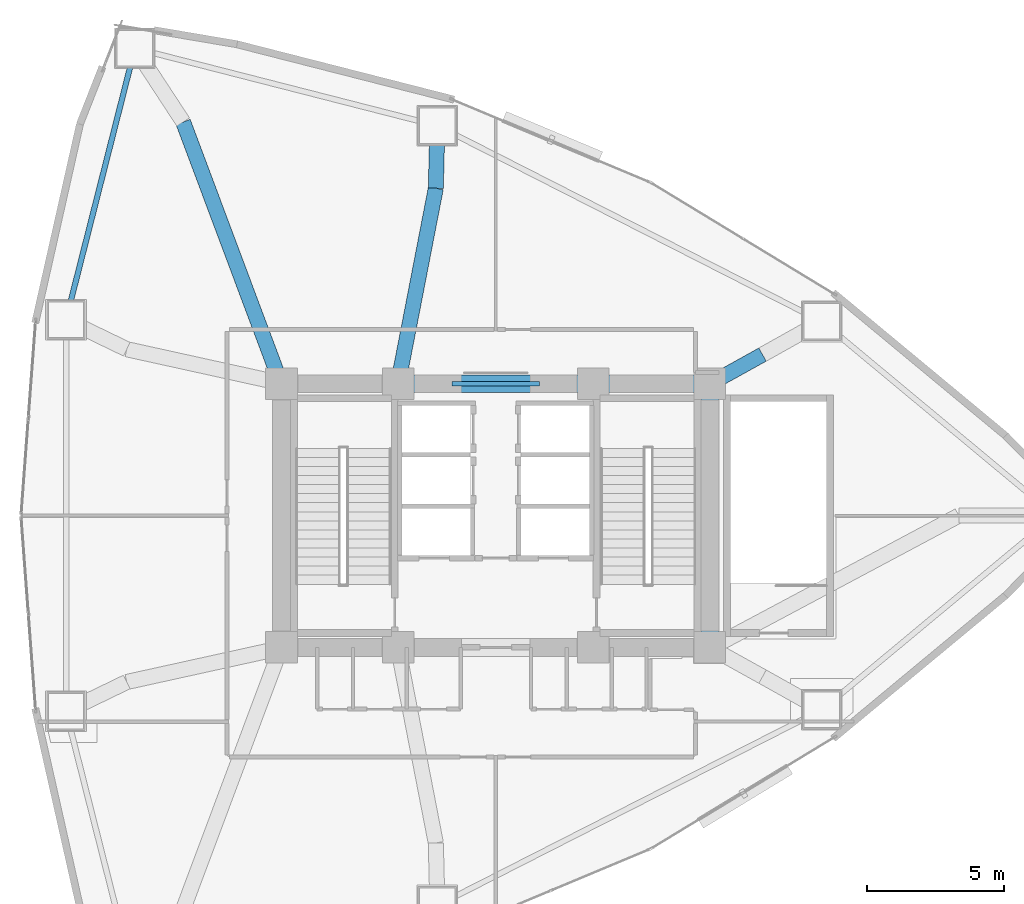
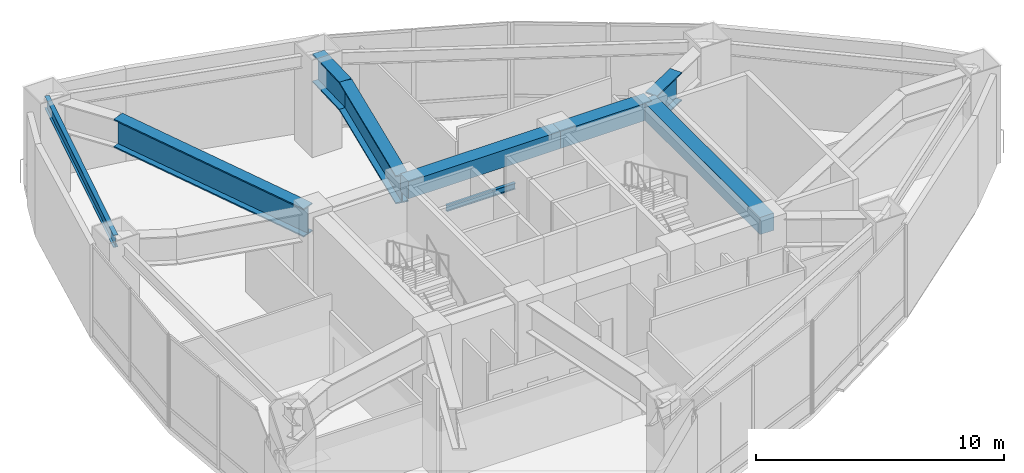
# One storey, part 10 of 19: 9 beams.
"""IFC4 building model written with IfcOpenShell, lengths in metres."""

from ifc_helpers import new_model, si_unit, direction, frame, origin, origin_2d, place, context, subcontext, project, spatial, rectangle, i_section, extrude, material, material_profile, profile_set, type_object, element, save


model = new_model("IFC4")

# Units and contexts
model_context = context("Model", 3, precision=1e-05, world=origin(), true_north=direction((0.0, 1.0)))
body_context = subcontext(model_context, "Body", "Model", "MODEL_VIEW")
ifc_project = project(units=[si_unit("LENGTHUNIT", "METRE"), si_unit("AREAUNIT", "SQUARE_METRE"), si_unit("VOLUMEUNIT", "CUBIC_METRE"), si_unit("PLANEANGLEUNIT", "RADIAN"), si_unit("MASSUNIT", "GRAM", prefix="KILO")], contexts=[model_context])

# Site, building, storey
site_placement = place(None, origin())
site = spatial("IfcSite", under=ifc_project, at=site_placement, CompositionType="ELEMENT")
building_placement = place(site_placement, origin())
building = spatial("IfcBuilding", under=site, at=building_placement, Name="Menara Vayukalpa", CompositionType="ELEMENT")
storey_placement = place(building_placement, frame((0.0, 0.0, 22.800048828125)))
storey = spatial("IfcBuildingStorey", under=building, at=storey_placement, Name="L04", CompositionType="ELEMENT", Elevation=22.800048828125)

# Beams
ifc_material_1 = material(Name="Concrete C60/75", Category="concrete")
ifc_material_profile_1 = material_profile(ifc_material_1, rectangle(XDim=0.64990234375, YDim=0.85009765625, at=origin_2d()), Name="RC 650x850")
ifc_profile_set_1 = profile_set([ifc_material_profile_1], Name="Concrete C60/75")
beam_type_1 = type_object("IfcBeamType", Name="BM-CB1", PredefinedType="BEAM", material=ifc_profile_set_1)
beam_1_placement = place(storey_placement, frame((22.050048828125, 26.800048828125, 4.125), z_axis=(1.0, 0.0, 0.0), x_axis=(0.0, 1.0, 0.0)))
element("IfcBeam", 1, at=beam_1_placement, inside=storey, type_object=beam_type_1, Name="L04 Core Tie Beam CBR5", PredefinedType="BEAM", context=body_context, shape_type="SweptSolid", body=[
    extrude(rectangle(XDim=0.64990234375, YDim=0.85009765625, at=origin_2d()), origin(), (0.0, 0.0, 1.0), 7.099853515625),
])
beam_2_placement = place(storey_placement, frame((29.14990234375, 26.800048828125, 4.125), z_axis=(1.0, 0.0, 0.0), x_axis=(0.0, 1.0, 0.0)))
element("IfcBeam", 2, at=beam_2_placement, inside=storey, type_object=beam_type_1, Name="L04 Core Tie Beam CBR6", PredefinedType="BEAM", context=body_context, shape_type="SweptSolid", body=[
    extrude(rectangle(XDim=0.64990234375, YDim=0.85009765625, at=origin_2d()), origin(), (0.0, 0.0, 1.0), 4.25),
])
beam_3_placement = place(storey_placement, frame((33.39990234375, 17.199951171875, 4.125), z_axis=(0.0, 1.0, 0.0), x_axis=(-1.0, 0.0, 0.0)))
element("IfcBeam", 3, at=beam_3_placement, inside=storey, type_object=beam_type_1, Name="L04 Core Tie Beam CBR8", PredefinedType="BEAM", context=body_context, shape_type="SweptSolid", body=[
    extrude(rectangle(XDim=0.64990234375, YDim=0.85009765625, at=origin_2d()), origin(), (0.0, 0.0, 1.0), 9.60009765625),
])
ifc_material_2 = material(Name="Steel S355", Category="steel")
ifc_material_profile_2 = material_profile(ifc_material_2, i_section(OverallWidth=0.14990234375, OverallDepth=0.300048828125, WebThickness=0.006591796875, FlangeThickness=0.009033203125, at=origin_2d()), Name="WF 300x150x6.5x9")
ifc_profile_set_2 = profile_set([ifc_material_profile_2], Name="Steel S355")
beam_type_2 = type_object("IfcBeamType", Name="BM-LN1", PredefinedType="LINTEL", material=ifc_profile_set_2)
beam_4_placement = place(storey_placement, frame((24.0, 26.800048828125, 2.3798828125), z_axis=(1.0, 0.0, 0.0), x_axis=(0.0, 1.0, 0.0)))
element("IfcBeam", 4, at=beam_4_placement, inside=storey, type_object=beam_type_2, Name="L04 North Core Steel Lintel LN1", PredefinedType="LINTEL", context=body_context, shape_type="SweptSolid", body=[
    extrude(i_section(OverallWidth=0.14990234375, OverallDepth=0.300048828125, WebThickness=0.006591796875, FlangeThickness=0.009033203125, at=origin_2d()), origin(), (0.0, 0.0, 1.0), 3.199951171875),
])
ifc_material_3 = material(Name="Steel S355", Category="steel")
ifc_material_profile_3 = material_profile(ifc_material_3, i_section(OverallWidth=0.199951171875, OverallDepth=0.60009765625, WebThickness=0.010986328125, FlangeThickness=0.01708984375, at=origin_2d()), Name="WF 600x200x11x17")
ifc_profile_set_3 = profile_set([ifc_material_profile_3], Name="Steel S355")
beam_type_3 = type_object("IfcBeamType", Name="BM-SP1", PredefinedType="SPANDREL", material=ifc_profile_set_3)
beam_5_placement = place(storey_placement, frame((12.46044921875, 39.01904296875, 4.25), z_axis=(-0.24585591488, -0.969306385576, 0.0), x_axis=(0.969306385576, -0.24585591488, 0.0)))
element("IfcBeam", 5, at=beam_5_placement, inside=storey, type_object=beam_type_3, Name="L04 Perimeter Spandrel Beam SP04", PredefinedType="SPANDREL", context=body_context, shape_type="SweptSolid", body=[
    extrude(i_section(OverallWidth=0.199951171875, OverallDepth=0.60009765625, WebThickness=0.010986328125, FlangeThickness=0.01708984375, at=origin_2d()), origin(), (0.0, 0.0, 1.0), 10.203369140625),
])
ifc_material_4 = material(Name="Steel S460", Category="steel")
ifc_material_profile_4 = material_profile(ifc_material_4, i_section(OverallWidth=0.550048828125, OverallDepth=1.39990234375, WebThickness=0.031982421875, FlangeThickness=0.06005859375, at=origin_2d()), Name="WG 1400x550x32x60")
ifc_profile_set_4 = profile_set([ifc_material_profile_4], Name="Steel S460")
beam_type_4 = type_object("IfcBeamType", Name="BM-TG1", PredefinedType="BEAM", material=ifc_profile_set_4)
beam_6_placement = place(storey_placement, frame((33.618408203125, 26.921630859375, 3.849853515625), z_axis=(0.874731542921, 0.484607808252, 0.0), x_axis=(-0.484607808252, 0.874731542921, 0.0)))
element("IfcBeam", 6, at=beam_6_placement, inside=storey, type_object=beam_type_4, Name="L04 Radial Transfer Girder Inner 02", PredefinedType="BEAM", context=body_context, shape_type="SweptSolid", body=[
    extrude(i_section(OverallWidth=0.550048828125, OverallDepth=1.39990234375, WebThickness=0.031982421875, FlangeThickness=0.06005859375, at=origin_2d()), origin(), (0.0, 0.0, 1.0), 1.943115234375),
])
beam_7_placement = place(storey_placement, frame((22.08740234375, 27.047119140625, 3.849853515625), z_axis=(0.190193159027, 0.981746689457, 0.0), x_axis=(-0.981746689457, 0.190193159027, 0.0)))
element("IfcBeam", 7, at=beam_7_placement, inside=storey, type_object=beam_type_4, Name="L04 Radial Transfer Girder Inner 03", PredefinedType="BEAM", context=body_context, shape_type="SweptSolid", body=[
    extrude(i_section(OverallWidth=0.550048828125, OverallDepth=1.39990234375, WebThickness=0.031982421875, FlangeThickness=0.06005859375, at=origin_2d()), origin(), (0.0, 0.0, 1.0), 7.003662109375),
])
beam_8_placement = place(storey_placement, frame((23.41943359375, 33.9228515625, 3.849853515625), z_axis=(0.024654737929, 0.999696025749, 0.0), x_axis=(-0.999696025749, 0.024654737929, 0.0)))
element("IfcBeam", 8, at=beam_8_placement, inside=storey, type_object=beam_type_4, Name="L04 Radial Transfer Girder Outer 03", PredefinedType="BEAM", context=body_context, shape_type="SweptSolid", body=[
    extrude(i_section(OverallWidth=0.550048828125, OverallDepth=1.39990234375, WebThickness=0.031982421875, FlangeThickness=0.06005859375, at=origin_2d()), origin(), (0.0, 0.0, 1.0), 2.277587890625),
])
beam_9_placement = place(storey_placement, frame((17.699951171875, 27.029052734375, 3.849853515625), z_axis=(-0.350495933593, 0.936564253287, 0.0), x_axis=(-0.936564253287, -0.350495933593, 0.0)))
element("IfcBeam", 9, at=beam_9_placement, inside=storey, type_object=beam_type_4, Name="L04 Radial Transfer Girder Inner 04", PredefinedType="BEAM", context=body_context, shape_type="SweptSolid", body=[
    extrude(i_section(OverallWidth=0.550048828125, OverallDepth=1.39990234375, WebThickness=0.031982421875, FlangeThickness=0.06005859375, at=origin_2d()), origin(), (0.0, 0.0, 1.0), 9.935791015625),
])

save(model, "model.ifc")
